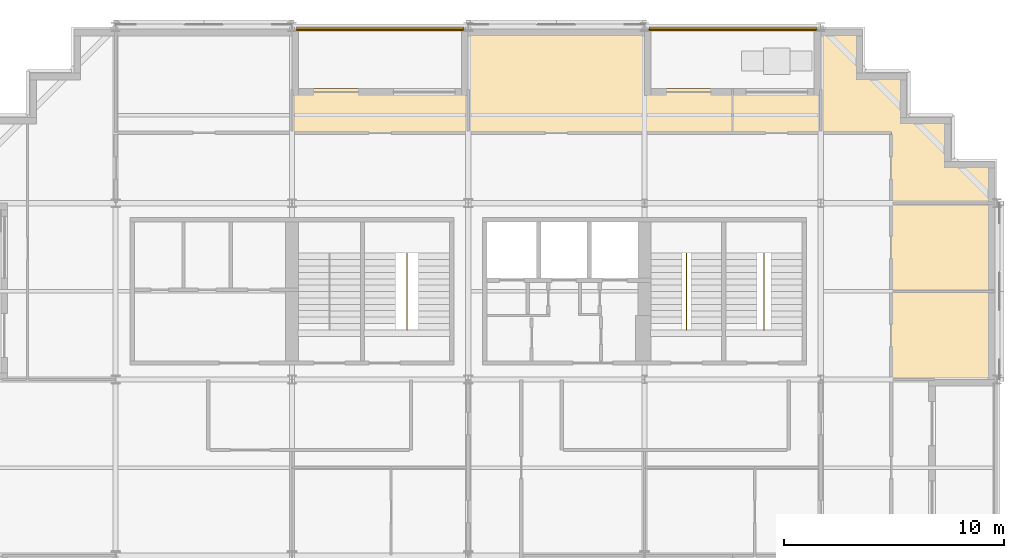
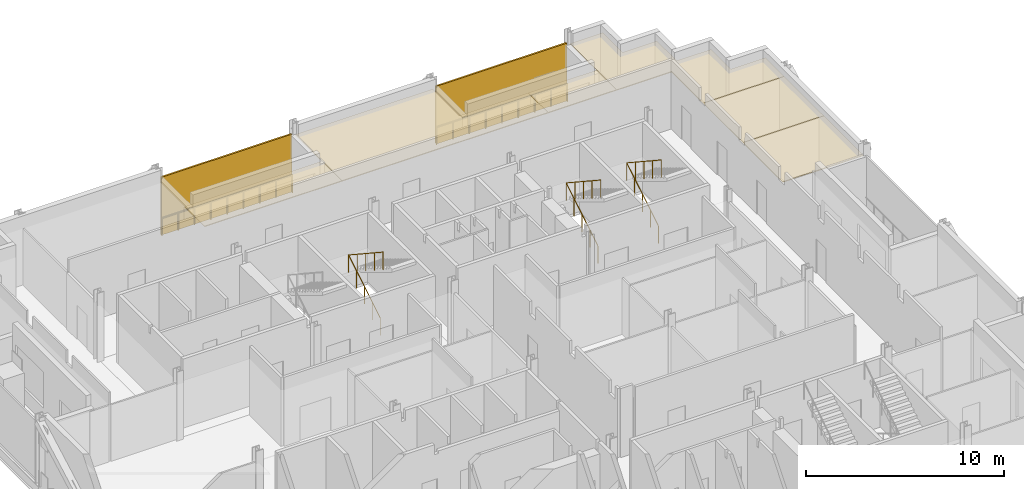
# One storey, part 14 of 15: 6 coverings, 5 railings, 2 shading devices.
"""IFC4 building model written with IfcOpenShell, lengths in metres."""

from ifc_helpers import new_model, si_unit, direction, frame, origin, origin_2d, place, context, subcontext, project, spatial, polyline, rectangle, circle, outline, extrude, material, layer, layer_set, type_object, element, save


model = new_model("IFC4")

# Units and contexts
model_context = context("Model", 3, precision=1e-05, world=origin(), true_north=direction((0.0, 1.0)))
body_context = subcontext(model_context, "Body", "Model", "MODEL_VIEW")
ifc_project = project(units=[si_unit("LENGTHUNIT", "METRE"), si_unit("AREAUNIT", "SQUARE_METRE"), si_unit("VOLUMEUNIT", "CUBIC_METRE"), si_unit("PLANEANGLEUNIT", "RADIAN"), si_unit("MASSUNIT", "GRAM", prefix="KILO")], contexts=[model_context])

# Site, building, storey
site_placement = place(None, origin())
site = spatial("IfcSite", under=ifc_project, at=site_placement, CompositionType="ELEMENT")
building_placement = place(site_placement, origin())
building = spatial("IfcBuilding", under=site, at=building_placement, Name="Immortelle Media Tower", CompositionType="ELEMENT")
storey_placement = place(building_placement, frame((0.0, 0.0, 87.60009765625)))
storey = spatial("IfcBuildingStorey", under=building, at=storey_placement, Name="L16", CompositionType="ELEMENT", Elevation=87.60009765625)

# Railings
ifc_material_1 = material(Name="Powder-coated aluminium fretwork panel, laminated glass backing", Category="aluminium")
railing_type_1 = type_object("IfcRailingType", Name="Fretwork balustrade 1100", PredefinedType="BALUSTRADE", material=ifc_material_1)
railing_1_placement = place(storey_placement, frame((39.8134765625, 47.860107421875, 0.0)))
element("IfcRailing", 1, at=railing_1_placement, inside=storey, type_object=railing_type_1, Name="Fretwork balustrade L16 N0", PredefinedType="BALUSTRADE", context=body_context, shape_type="SweptSolid", body=[
    extrude(circle(Radius=0.02490234375, at=origin_2d()), frame((0.0, 0.0, 1.0751953125), z_axis=(-1.0, 0.0, 0.0), x_axis=(0.0, -1.0, 0.0)), (0.0, 0.0, 1.0), 7.614013671875),
    extrude(circle(Radius=0.02001953125, at=origin_2d()), origin(), (0.0, 0.0, 1.0), 1.050048828125),
    extrude(circle(Radius=0.02001953125, at=origin_2d()), frame((-0.95166015625, 0.0, 0.0)), (0.0, 0.0, 1.0), 1.050048828125),
    extrude(circle(Radius=0.02001953125, at=origin_2d()), frame((-1.903564453125, 0.0, 0.0)), (0.0, 0.0, 1.0), 1.050048828125),
    extrude(circle(Radius=0.02001953125, at=origin_2d()), frame((-2.855224609375, 0.0, 0.0)), (0.0, 0.0, 1.0), 1.050048828125),
    extrude(circle(Radius=0.02001953125, at=origin_2d()), frame((-3.80712890625, 0.0, 0.0)), (0.0, 0.0, 1.0), 1.050048828125),
    extrude(circle(Radius=0.02001953125, at=origin_2d()), frame((-4.7587890625, 0.0, 0.0)), (0.0, 0.0, 1.0), 1.050048828125),
    extrude(circle(Radius=0.02001953125, at=origin_2d()), frame((-5.71044921875, 0.0, 0.0)), (0.0, 0.0, 1.0), 1.050048828125),
    extrude(circle(Radius=0.02001953125, at=origin_2d()), frame((-6.662353515625, 0.0, 0.0)), (0.0, 0.0, 1.0), 1.050048828125),
    extrude(circle(Radius=0.02001953125, at=origin_2d()), frame((-7.614013671875, 0.0, 0.0)), (0.0, 0.0, 1.0), 1.050048828125),
])
railing_2_placement = place(storey_placement, frame((23.800537109375, 47.860107421875, 0.0)))
element("IfcRailing", 2, at=railing_2_placement, inside=storey, type_object=railing_type_1, Name="Fretwork balustrade L16 N2", PredefinedType="BALUSTRADE", context=body_context, shape_type="SweptSolid", body=[
    extrude(circle(Radius=0.02490234375, at=origin_2d()), frame((0.0, 0.0, 1.0751953125), z_axis=(-1.0, 0.0, 0.0), x_axis=(0.0, -1.0, 0.0)), (0.0, 0.0, 1.0), 7.594970703125),
    extrude(circle(Radius=0.02001953125, at=origin_2d()), origin(), (0.0, 0.0, 1.0), 1.050048828125),
    extrude(circle(Radius=0.02001953125, at=origin_2d()), frame((-0.949462890625, 0.0, 0.0)), (0.0, 0.0, 1.0), 1.050048828125),
    extrude(circle(Radius=0.02001953125, at=origin_2d()), frame((-1.898681640625, 0.0, 0.0)), (0.0, 0.0, 1.0), 1.050048828125),
    extrude(circle(Radius=0.02001953125, at=origin_2d()), frame((-2.84814453125, 0.0, 0.0)), (0.0, 0.0, 1.0), 1.050048828125),
    extrude(circle(Radius=0.02001953125, at=origin_2d()), frame((-3.79736328125, 0.0, 0.0)), (0.0, 0.0, 1.0), 1.050048828125),
    extrude(circle(Radius=0.02001953125, at=origin_2d()), frame((-4.746826171875, 0.0, 0.0)), (0.0, 0.0, 1.0), 1.050048828125),
    extrude(circle(Radius=0.02001953125, at=origin_2d()), frame((-5.6962890625, 0.0, 0.0)), (0.0, 0.0, 1.0), 1.050048828125),
    extrude(circle(Radius=0.02001953125, at=origin_2d()), frame((-6.6455078125, 0.0, 0.0)), (0.0, 0.0, 1.0), 1.050048828125),
    extrude(circle(Radius=0.02001953125, at=origin_2d()), frame((-7.594970703125, 0.0, 0.0)), (0.0, 0.0, 1.0), 1.050048828125),
])

# Shading devices
ifc_material_2 = material(Name="Pale aluminium louvre blades", Category="aluminium")
ifc_layer_1 = layer(ifc_material_2, 0.10009765625)
ifc_layer_set_1 = layer_set([ifc_layer_1], Name="Pale aluminium louvre blades")
shading_device_type = type_object("IfcShadingDeviceType", Name="Jalousie screen 100", PredefinedType="JALOUSIE", material=ifc_layer_set_1)
shading_device_1_placement = place(storey_placement, frame((36.006591796875, 47.949951171875, 0.0), z_axis=(0.0, 0.0, 1.0), x_axis=(-1.0, 0.0, 0.0)))
element("IfcShadingDevice", 3, at=shading_device_1_placement, inside=storey, type_object=shading_device_type, Name="Jalousie screen L16 N0", PredefinedType="JALOUSIE", context=body_context, shape_type="SweptSolid", body=[
    extrude(rectangle(XDim=7.614013671875, YDim=0.10009765625, at=origin_2d()), origin(), (0.0, 0.0, 1.0), 3.556884765625),
])
shading_device_2_placement = place(storey_placement, frame((20.0029296875, 47.949951171875, 0.0), z_axis=(0.0, 0.0, 1.0), x_axis=(-1.0, 0.0, 0.0)))
element("IfcShadingDevice", 4, at=shading_device_2_placement, inside=storey, type_object=shading_device_type, Name="Jalousie screen L16 N2", PredefinedType="JALOUSIE", context=body_context, shape_type="SweptSolid", body=[
    extrude(rectangle(XDim=7.594970703125, YDim=0.10009765625, at=origin_2d()), origin(), (0.0, 0.0, 1.0), 3.556884765625),
])

# Railings
ifc_material_3 = material(Name="Stainless steel AISI 316", Category="steel")
railing_type_2 = type_object("IfcRailingType", Name="Stair guard 1100", PredefinedType="GUARDRAIL", material=ifc_material_3)
for number, where, name in (
    (5, (21.22509765625, 34.5400390625, 0.17578125), "Stair guard NW2"),
    (6, (33.89990234375, 34.5400390625, 0.17578125), "Stair guard NE1"),
    (7, (37.425048828125, 34.5400390625, 0.17578125), "Stair guard NE2"),
):
    element("IfcRailing", number, at=place(storey_placement, frame(where)), inside=storey, type_object=railing_type_2, Name=name, PredefinedType="GUARDRAIL", context=body_context, shape_type="SweptSolid", body=[
        extrude(circle(Radius=0.02392578125, at=origin_2d()), frame((0.0, 0.0, 1.076171875), z_axis=(0.0, 0.854872504309, 0.518838126371), x_axis=(-1.0, 0.0, 0.0)), (0.0, 0.0, 1.0), 3.7314453125),
        extrude(circle(Radius=0.02392578125, at=origin_2d()), frame((0.0, 3.18994140625, 3.01220703125), z_axis=(0.0, -0.835568629342, 0.549386080693), x_axis=(1.0, 0.0, 0.0)), (0.0, 0.0, 1.0), 4.164794921875),
        extrude(circle(Radius=0.02099609375, at=origin_2d()), origin(), (0.0, 0.0, 1.0), 1.052001953125),
        extrude(circle(Radius=0.02099609375, at=origin_2d()), frame((0.0, 0.79736328125, 0.48388671875)), (0.0, 0.0, 1.0), 1.052001953125),
        extrude(circle(Radius=0.02099609375, at=origin_2d()), frame((0.0, 1.594970703125, 0.968017578125)), (0.0, 0.0, 1.0), 1.052001953125),
        extrude(circle(Radius=0.02099609375, at=origin_2d()), frame((0.0, 2.392578125, 1.4521484375)), (0.0, 0.0, 1.0), 1.052001953125),
        extrude(circle(Radius=0.02099609375, at=origin_2d()), frame((0.0, 3.18994140625, 1.93603515625)), (0.0, 0.0, 1.0), 1.052001953125),
        extrude(circle(Radius=0.02099609375, at=origin_2d()), frame((0.0, 2.31982421875, 2.508056640625)), (0.0, 0.0, 1.0), 1.052001953125),
        extrude(circle(Radius=0.02099609375, at=origin_2d()), frame((0.0, 1.449951171875, 3.080078125)), (0.0, 0.0, 1.0), 1.052001953125),
        extrude(circle(Radius=0.02099609375, at=origin_2d()), frame((0.0, 0.580078125, 3.652099609375)), (0.0, 0.0, 1.0), 1.052001953125),
        extrude(circle(Radius=0.02099609375, at=origin_2d()), frame((0.0, -0.2900390625, 4.22412109375)), (0.0, 0.0, 1.0), 1.052001953125),
    ])

# Coverings
ifc_material_4 = material(Name="Mineral fibre tile ceiling")
ifc_layer_2 = layer(ifc_material_4, 0.050048828125)
ifc_layer_set_2 = layer_set([ifc_layer_2], Name="Mineral fibre tile ceiling")
covering_type = type_object("IfcCoveringType", Name="Suspended ceiling 50", PredefinedType="CEILING", material=ifc_layer_set_2)
covering_1_placement = place(storey_placement, frame((0.0, 0.0, 3.419921875)))
element("IfcCovering", 8, at=covering_1_placement, inside=storey, type_object=covering_type, Name="Ceiling L16-022", PredefinedType="CEILING", context=body_context, shape_type="SweptSolid", body=[
    extrude(outline(polyline([(43.199951171875, 32.0), (43.199951171875, 36.0), (47.89990234375, 36.0), (47.89990234375, 32.0), (45.199951171875, 32.0), (43.199951171875, 32.0)])), origin(), (0.0, 0.0, 1.0), 0.050048828125),
])
covering_2_placement = place(storey_placement, frame((0.0, 0.0, 3.419921875)))
element("IfcCovering", 9, at=covering_2_placement, inside=storey, type_object=covering_type, Name="Ceiling L16-023", PredefinedType="CEILING", context=body_context, shape_type="SweptSolid", body=[
    extrude(outline(polyline([(43.199951171875, 40.0), (47.89990234375, 40.0), (47.89990234375, 36.0), (43.199951171875, 36.0), (43.199951171875, 40.0)])), origin(), (0.0, 0.0, 1.0), 0.050048828125),
])
covering_3_placement = place(storey_placement, frame((0.0, 0.0, 3.419921875)))
element("IfcCovering", 10, at=covering_3_placement, inside=storey, type_object=covering_type, Name="Ceiling L16-026", PredefinedType="CEILING", context=body_context, shape_type="SweptSolid", body=[
    extrude(outline(polyline([(45.89990234375, 41.89990234375), (47.89990234375, 41.89990234375), (47.89990234375, 40.0), (44.0, 40.0), (43.199951171875, 40.0), (43.199951171875, 43.199951171875), (40.0, 43.199951171875), (40.0, 45.199951171875), (40.0, 47.89990234375), (41.89990234375, 47.89990234375), (41.89990234375, 45.89990234375), (43.89990234375, 45.89990234375), (43.89990234375, 43.89990234375), (44.0, 43.89990234375), (45.89990234375, 43.89990234375), (45.89990234375, 41.89990234375)])), origin(), (0.0, 0.0, 1.0), 0.050048828125),
])
covering_4_placement = place(storey_placement, frame((0.0, 0.0, 3.419921875)))
element("IfcCovering", 11, at=covering_4_placement, inside=storey, type_object=covering_type, Name="Ceiling L16-028", PredefinedType="CEILING", context=body_context, shape_type="SweptSolid", body=[
    extrude(outline(polyline([(24.0, 43.199951171875), (16.0, 43.199951171875), (16.0, 45.199951171875), (24.0, 45.199951171875), (24.0, 43.199951171875)])), origin(), (0.0, 0.0, 1.0), 0.050048828125),
])
covering_5_placement = place(storey_placement, frame((0.0, 0.0, 3.419921875)))
element("IfcCovering", 12, at=covering_5_placement, inside=storey, type_object=covering_type, Name="Ceiling L16-029", PredefinedType="CEILING", context=body_context, shape_type="SweptSolid", body=[
    extrude(outline(polyline([(32.0, 43.199951171875), (24.0, 43.199951171875), (24.0, 45.199951171875), (24.0, 47.89990234375), (32.0, 47.89990234375), (32.0, 45.199951171875), (36.0, 45.199951171875), (36.0, 43.199951171875), (32.0, 43.199951171875)])), origin(), (0.0, 0.0, 1.0), 0.050048828125),
])
covering_6_placement = place(storey_placement, frame((0.0, 0.0, 3.419921875)))
element("IfcCovering", 13, at=covering_6_placement, inside=storey, type_object=covering_type, Name="Ceiling L16-030", PredefinedType="CEILING", context=body_context, shape_type="SweptSolid", body=[
    extrude(outline(polyline([(40.0, 43.199951171875), (36.0, 43.199951171875), (36.0, 45.199951171875), (40.0, 45.199951171875), (40.0, 43.199951171875)])), origin(), (0.0, 0.0, 1.0), 0.050048828125),
])

save(model, "model.ifc")
